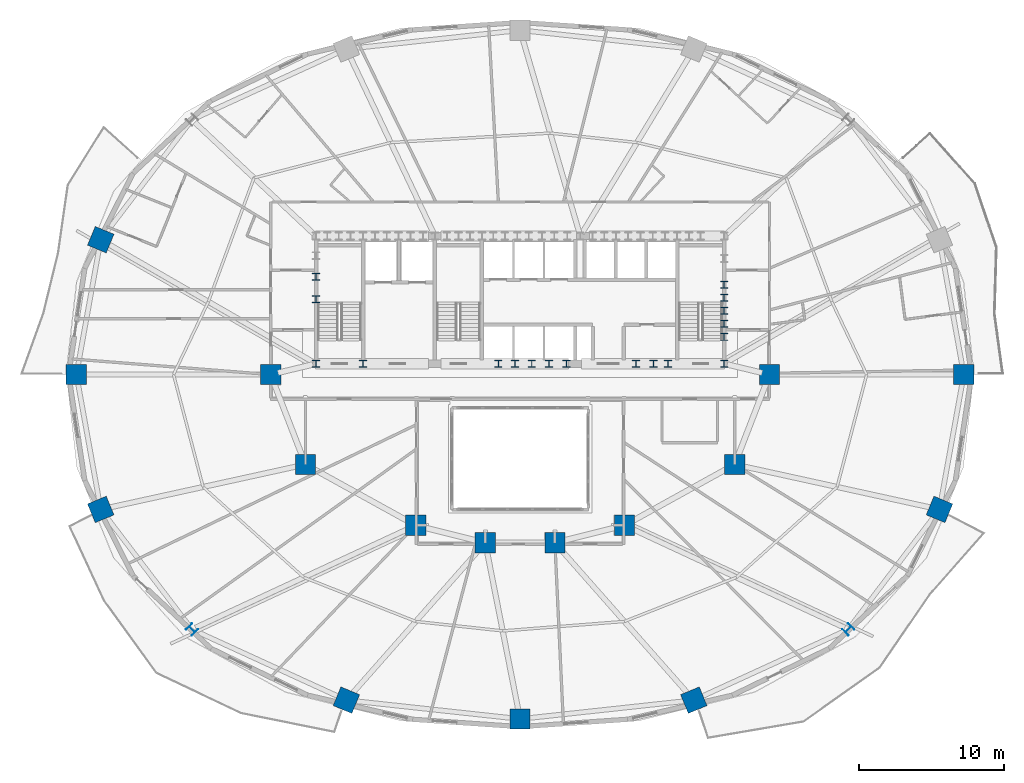
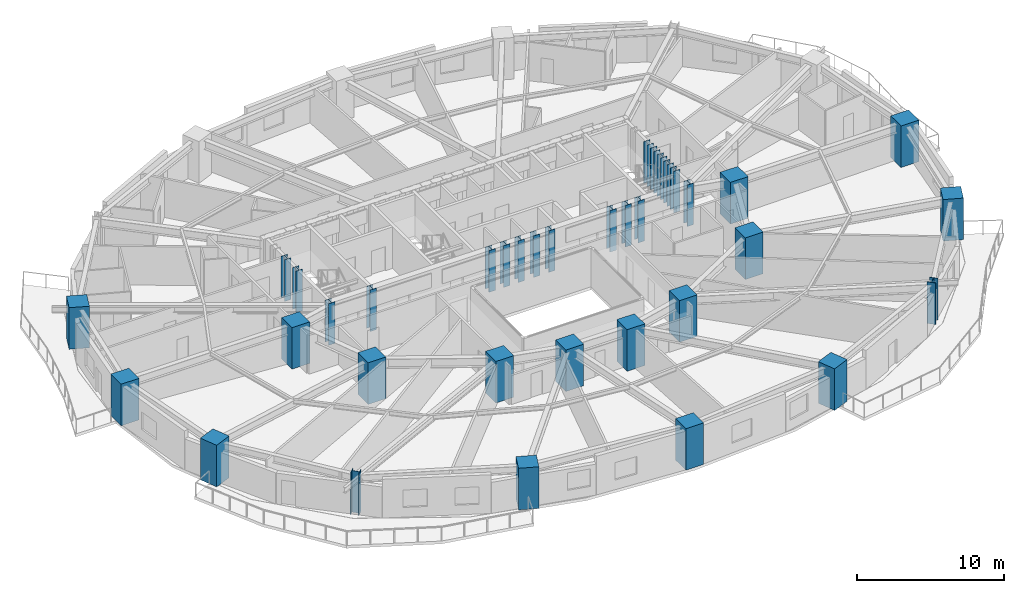
# One storey, part 1 of 17: 36 columns.
"""IFC4 building model written with IfcOpenShell, lengths in metres."""

from ifc_helpers import new_model, si_unit, direction, frame, origin, origin_2d, place, context, subcontext, project, spatial, rectangle, i_section, extrude, material, material_profile, profile_set, type_object, element, save


model = new_model("IFC4")

# Units and contexts
model_context = context("Model", 3, precision=1e-05, world=origin(), true_north=direction((0.0, 1.0)))
body_context = subcontext(model_context, "Body", "Model", "MODEL_VIEW")
ifc_project = project(units=[si_unit("LENGTHUNIT", "METRE"), si_unit("AREAUNIT", "SQUARE_METRE"), si_unit("VOLUMEUNIT", "CUBIC_METRE"), si_unit("PLANEANGLEUNIT", "RADIAN"), si_unit("MASSUNIT", "GRAM", prefix="KILO")], contexts=[model_context])

# Site, building, storey
site_placement = place(None, origin())
site = spatial("IfcSite", under=ifc_project, at=site_placement, CompositionType="ELEMENT")
building_placement = place(site_placement, origin())
building = spatial("IfcBuilding", under=site, at=building_placement, Name="Haldorwick Loom Tower", CompositionType="ELEMENT")
storey_placement = place(building_placement, frame((0.0, 0.0, 34.35009765625)))
storey = spatial("IfcBuildingStorey", under=building, at=storey_placement, Name="L08", CompositionType="ELEMENT", Elevation=34.35009765625)

# Columns
ifc_material_1 = material(Name="Concrete C60 (60 MPa)", Category="concrete")
ifc_material_profile_1 = material_profile(ifc_material_1, rectangle(XDim=1.39990234375, YDim=1.39990234375, at=origin_2d()), Name="RC1400X1400", Category="concrete")
ifc_profile_set_1 = profile_set([ifc_material_profile_1], Name="Concrete C60 (60 MPa)")
column_type_1 = type_object("IfcColumnType", Name="STR-COL-MEGA1400", PredefinedType="COLUMN", material=ifc_profile_set_1)
for number, where, z_axis, x_axis, name in (
    (1, (53.199951171875, 26.0, 0.0), (0.0, 0.0, 1.0), (1.0, 0.0, 0.0), "L08 Inner Column IC-01"),
    (2, (50.800048828125, 19.800048828125, 0.0), (0.0, 0.0, 1.0), (1.0, 0.0, 0.0), "L08 Inner Column IC-02"),
    (3, (43.199951171875, 15.60009765625, 0.0), (0.0, 0.0, 1.0), (1.0, 0.0, 0.0), "L08 Inner Column IC-03"),
    (4, (38.39990234375, 14.39990234375, 0.0), (0.0, 0.0, 1.0), (1.0, 0.0, 0.0), "L08 Inner Column IC-04"),
    (5, (33.60009765625, 14.39990234375, 0.0), (0.0, 0.0, 1.0), (1.0, 0.0, 0.0), "L08 Inner Column IC-05"),
    (6, (28.800048828125, 15.60009765625, 0.0), (0.0, 0.0, 1.0), (1.0, 0.0, 0.0), "L08 Inner Column IC-06"),
    (7, (21.199951171875, 19.800048828125, 0.0), (0.0, 0.0, 1.0), (1.0, 0.0, 0.0), "L08 Inner Column IC-07"),
    (8, (18.800048828125, 26.0, 0.0), (0.0, 0.0, 1.0), (1.0, 0.0, 0.0), "L08 Inner Column IC-08"),
):
    element("IfcColumn", number, at=place(storey_placement, frame(where, z_axis=z_axis, x_axis=x_axis)), inside=storey, type_object=column_type_1, Name=name, PredefinedType="COLUMN", context=body_context, shape_type="SweptSolid", body=[
        extrude(rectangle(XDim=1.39990234375, YDim=1.39990234375, at=origin_2d()), origin(), (0.0, 0.0, 1.0), 3.449951171875),
    ])
ifc_material_profile_2 = material_profile(ifc_material_1, rectangle(XDim=1.39990234375, YDim=1.39990234375, at=origin_2d()), Name="RC1400X1400", Category="concrete")
ifc_profile_set_2 = profile_set([ifc_material_profile_2], Name="Concrete C60 (60 MPa)")
column_type_2 = type_object("IfcColumnType", Name="STR-COL-RC1400", PredefinedType="PILASTER", material=ifc_profile_set_2)
for number, where, z_axis, x_axis, name in (
    (9, (66.595947265625, 26.0, 0.0), (0.0, 0.0, 1.0), (1.0, 0.0, 0.0), "L08 Perimeter Pier Column P01"),
    (10, (7.08251953125, 35.29931640625, 0.0), (0.0, 0.0, 1.0), (-0.923879532511, 0.382683432365, 0.0), "L08 Perimeter Pier Column P08"),
    (11, (5.404052734375, 26.0, 0.0), (0.0, 0.0, 1.0), (-1.0, 0.0, 0.0), "L08 Perimeter Pier Column P09"),
    (12, (7.08251953125, 16.70068359375, 0.0), (0.0, 0.0, 1.0), (-0.923879532511, -0.382683432365, 0.0), "L08 Perimeter Pier Column P10"),
    (13, (24.02197265625, 3.5498046875, 0.0), (0.0, 0.0, 1.0), (-0.382683432365, -0.923879532511, 0.0), "L08 Perimeter Pier Column P12"),
    (14, (36.0, 2.25, 0.0), (0.0, 0.0, 1.0), (0.0, -1.0, 0.0), "L08 Perimeter Pier Column P13"),
    (15, (47.97802734375, 3.5498046875, 0.0), (0.0, 0.0, 1.0), (0.382683432365, -0.923879532511, 0.0), "L08 Perimeter Pier Column P14"),
    (16, (64.91748046875, 16.70068359375, 0.0), (0.0, 0.0, 1.0), (0.923879532511, -0.382683432365, 0.0), "L08 Perimeter Pier Column P16"),
):
    element("IfcColumn", number, at=place(storey_placement, frame(where, z_axis=z_axis, x_axis=x_axis)), inside=storey, type_object=column_type_2, Name=name, PredefinedType="PILASTER", context=body_context, shape_type="SweptSolid", body=[
        extrude(rectangle(XDim=1.39990234375, YDim=1.39990234375, at=origin_2d()), origin(), (0.0, 0.0, 1.0), 3.449951171875),
    ])
ifc_material_2 = material(Name="Steel CSA G40.21 350WT", Category="steel")
ifc_material_profile_3 = material_profile(ifc_material_2, i_section(OverallWidth=0.5, OverallDepth=0.5, WebThickness=0.02197265625, FlangeThickness=0.031982421875, at=origin_2d()), Name="WWF500X500", Category="steel")
ifc_profile_set_3 = profile_set([ifc_material_profile_3], Name="Steel CSA G40.21 350WT")
column_type_3 = type_object("IfcColumnType", Name="STR-COL-WWF500", PredefinedType="COLUMN", material=ifc_profile_set_3)
for number, where, z_axis, x_axis, name in (
    (17, (21.929931640625, 26.75, 0.0), (0.0, 0.0, 1.0), (1.0, 0.0, 0.0), "L08 Core Pilaster CB-19"),
    (18, (25.169921875, 26.75, 0.0), (0.0, 0.0, 1.0), (1.0, 0.0, 0.0), "L08 Core Pilaster CB-20"),
    (19, (34.5, 26.75, 0.0), (0.0, 0.0, 1.0), (1.0, 0.0, 0.0), "L08 Core Pilaster CB-21"),
    (20, (36.800048828125, 26.75, 0.0), (0.0, 0.0, 1.0), (1.0, 0.0, 0.0), "L08 Core Pilaster CB-22"),
    (21, (39.199951171875, 26.75, 0.0), (0.0, 0.0, 1.0), (1.0, 0.0, 0.0), "L08 Core Pilaster CB-23"),
    (22, (45.199951171875, 26.75, 0.0), (0.0, 0.0, 1.0), (1.0, 0.0, 0.0), "L08 Core Pilaster CB-24"),
    (23, (50.070068359375, 26.75, 0.0), (0.0, 0.0, 1.0), (1.0, 0.0, 0.0), "L08 Core Pilaster CB-25"),
    (24, (21.929931640625, 31.199951171875, 0.0), (0.0, 0.0, 1.0), (1.0, 0.0, 0.0), "L08 Core Pilaster CB-26"),
    (25, (21.929931640625, 32.75, 0.0), (0.0, 0.0, 1.0), (1.0, 0.0, 0.0), "L08 Core Pilaster CB-27"),
    (26, (50.070068359375, 28.60009765625, 0.0), (0.0, 0.0, 1.0), (1.0, 0.0, 0.0), "L08 Core Pilaster CB-29"),
    (27, (50.070068359375, 30.39990234375, 0.0), (0.0, 0.0, 1.0), (1.0, 0.0, 0.0), "L08 Core Pilaster CB-30"),
    (28, (50.070068359375, 32.199951171875, 0.0), (0.0, 0.0, 1.0), (1.0, 0.0, 0.0), "L08 Core Pilaster CB-31"),
    (29, (50.070068359375, 29.5, 0.0), (0.0, 0.0, 1.0), (1.0, 0.0, 0.0), "L08 Core Pilaster CB-49"),
    (30, (50.070068359375, 31.300048828125, 0.0), (0.0, 0.0, 1.0), (1.0, 0.0, 0.0), "L08 Core Pilaster CB-50"),
    (31, (35.64990234375, 26.75, 0.0), (0.0, 0.0, 1.0), (1.0, 0.0, 0.0), "L08 Core Pilaster CB-51"),
    (32, (38.0, 26.75, 0.0), (0.0, 0.0, 1.0), (1.0, 0.0, 0.0), "L08 Core Pilaster CB-52"),
    (33, (44.0, 26.75, 0.0), (0.0, 0.0, 1.0), (1.0, 0.0, 0.0), "L08 Core Pilaster CB-53"),
    (34, (46.199951171875, 26.75, 0.0), (0.0, 0.0, 1.0), (1.0, 0.0, 0.0), "L08 Core Pilaster CB-54"),
):
    element("IfcColumn", number, at=place(storey_placement, frame(where, z_axis=z_axis, x_axis=x_axis)), inside=storey, type_object=column_type_3, Name=name, PredefinedType="COLUMN", context=body_context, shape_type="SweptSolid", body=[
        extrude(i_section(OverallWidth=0.5, OverallDepth=0.5, WebThickness=0.02197265625, FlangeThickness=0.031982421875, at=origin_2d()), origin(), (0.0, 0.0, 1.0), 3.449951171875),
    ])
ifc_material_profile_4 = material_profile(ifc_material_2, i_section(OverallWidth=0.60009765625, OverallDepth=0.60009765625, WebThickness=0.02490234375, FlangeThickness=0.035888671875, at=origin_2d()), Name="WWF600X600", Category="steel")
ifc_profile_set_4 = profile_set([ifc_material_profile_4], Name="Steel CSA G40.21 350WT")
column_type_4 = type_object("IfcColumnType", Name="STR-COL-WWF600", PredefinedType="COLUMN", material=ifc_profile_set_4)
for number, where, z_axis, x_axis, name in (
    (35, (13.369873046875, 8.428466796875, 0.0), (0.0, 0.0, 1.0), (-0.707106781187, -0.707106781187, 0.0), "L08 Perimeter Pier Column P11"),
    (36, (58.630126953125, 8.428466796875, 0.0), (0.0, 0.0, 1.0), (0.707106781187, -0.707106781187, 0.0), "L08 Perimeter Pier Column P15"),
):
    element("IfcColumn", number, at=place(storey_placement, frame(where, z_axis=z_axis, x_axis=x_axis)), inside=storey, type_object=column_type_4, Name=name, PredefinedType="COLUMN", context=body_context, shape_type="SweptSolid", body=[
        extrude(i_section(OverallWidth=0.60009765625, OverallDepth=0.60009765625, WebThickness=0.02490234375, FlangeThickness=0.035888671875, at=origin_2d()), origin(), (0.0, 0.0, 1.0), 3.449951171875),
    ])

save(model, "model.ifc")
